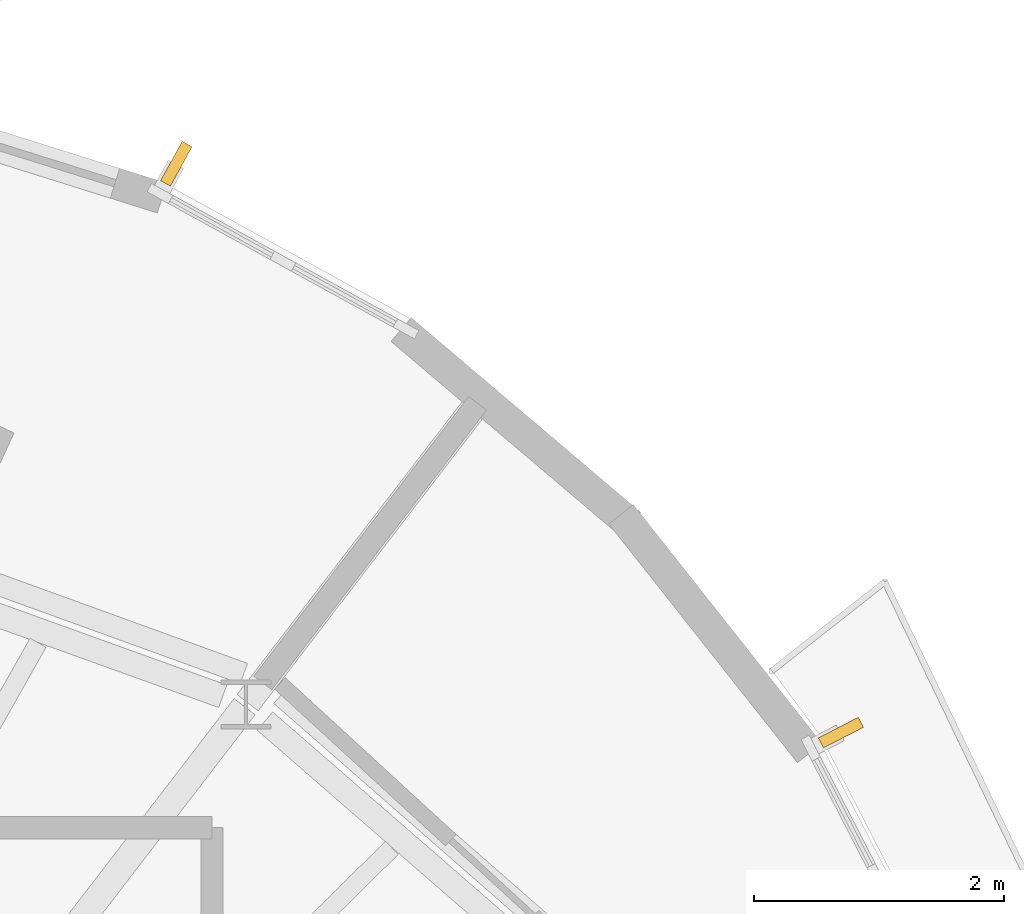
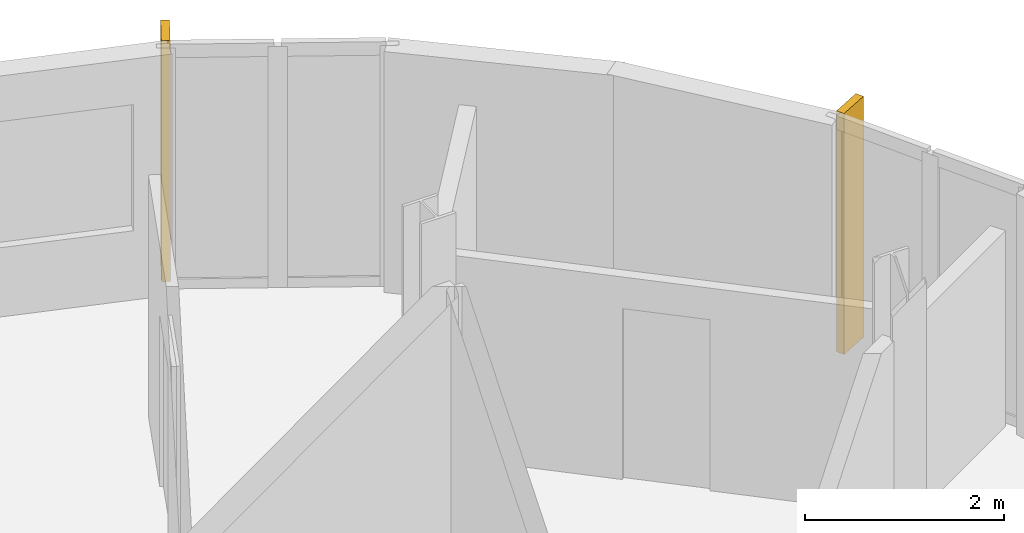
# One storey, part 11 of 11: 2 shading devices.
"""IFC4 building model written with IfcOpenShell, lengths in metres."""

from ifc_helpers import new_model, si_unit, direction, frame, origin, origin_2d, place, context, subcontext, project, spatial, rectangle, extrude, material, layer, layer_set, type_object, element, save


model = new_model("IFC4")

# Units and contexts
model_context = context("Model", 3, precision=1e-05, world=origin(), true_north=direction((0.0, 1.0)))
body_context = subcontext(model_context, "Body", "Model", "MODEL_VIEW")
ifc_project = project(units=[si_unit("LENGTHUNIT", "METRE"), si_unit("AREAUNIT", "SQUARE_METRE"), si_unit("VOLUMEUNIT", "CUBIC_METRE"), si_unit("PLANEANGLEUNIT", "RADIAN"), si_unit("MASSUNIT", "GRAM", prefix="KILO")], contexts=[model_context])

# Site, building, storey
site_placement = place(None, origin())
site = spatial("IfcSite", under=ifc_project, at=site_placement, CompositionType="ELEMENT")
building_placement = place(site_placement, origin())
building = spatial("IfcBuilding", under=site, at=building_placement, Name="Veldorim Arch Residences", CompositionType="ELEMENT")
storey_placement = place(building_placement, frame((0.0, 0.0, 227.0400390625)))
storey = spatial("IfcBuildingStorey", under=building, at=storey_placement, Name="L68", CompositionType="ELEMENT", Elevation=227.0400390625)

# Shading devices
ifc_material = material(Name="Terracotta Ceramic", Category="masonry")
ifc_layer = layer(ifc_material, 0.090087890625, Name="Vertical Extruded Terracotta Baguette Sun-Shading Fin")
ifc_layer_set = layer_set([ifc_layer], Name="Terracotta Ceramic")
shading_device_type = type_object("IfcShadingDeviceType", Name="Vertical Extruded Terracotta Baguette Sun-Shading Fin", PredefinedType="USERDEFINED", material=ifc_layer_set)
for number, where, z_axis, x_axis, name in (
    (1, (38.7744140625, 37.878662109375, 0.0), (0.0, 0.0, 1.0), (0.876222584819, -0.481906611132, 0.0), "L68 vertical terracotta sun-shading fin 01"),
    (2, (44.09765625, 33.321533203125, 0.0), (0.0, 0.0, 1.0), (0.457718745382, -0.889097042019, 0.0), "L68 vertical terracotta sun-shading fin 34"),
):
    element("IfcShadingDevice", number, at=place(storey_placement, frame(where, z_axis=z_axis, x_axis=x_axis)), inside=storey, type_object=shading_device_type, Name=name, ObjectType="FIN", PredefinedType="USERDEFINED", context=body_context, shape_type="SweptSolid", body=[
        extrude(rectangle(XDim=0.090087890625, YDim=0.360107421875, at=origin_2d()), origin(), (0.0, 0.0, 1.0), 2.9599609375),
    ])

save(model, "model.ifc")
